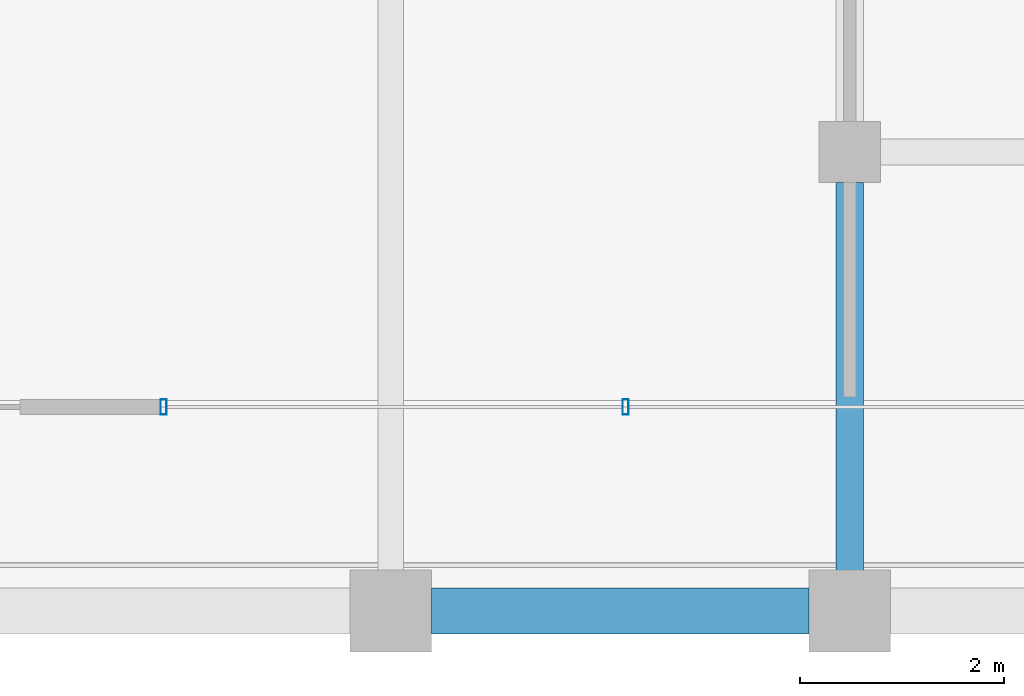
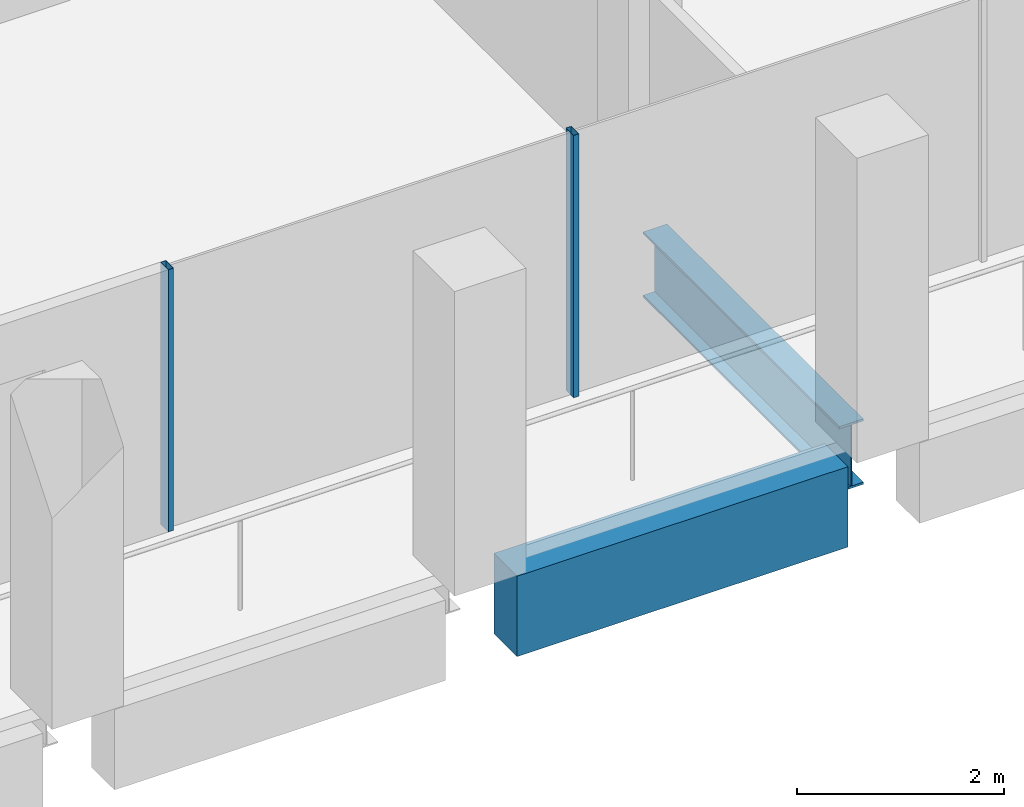
# One storey, part 9 of 30: 2 beams, 2 members, 1 element without a shape of its own.
"""IFC4 building model written with IfcOpenShell, lengths in metres."""

from ifc_helpers import new_model, si_unit, direction, frame, origin, origin_2d, place, context, subcontext, project, spatial, rectangle, hollow_rectangle, i_section, extrude, material, material_profile, profile_set, type_object, element, aggregate, save


model = new_model("IFC4")

# Units and contexts
model_context = context("Model", 3, precision=1e-05, world=origin(), true_north=direction((0.0, 1.0)))
body_context = subcontext(model_context, "Body", "Model", "MODEL_VIEW")
ifc_project = project(units=[si_unit("LENGTHUNIT", "METRE"), si_unit("AREAUNIT", "SQUARE_METRE"), si_unit("VOLUMEUNIT", "CUBIC_METRE"), si_unit("PLANEANGLEUNIT", "RADIAN"), si_unit("MASSUNIT", "GRAM", prefix="KILO")], contexts=[model_context])

# Site, building, storey
site_placement = place(None, origin())
site = spatial("IfcSite", under=ifc_project, at=site_placement, CompositionType="ELEMENT")
building_placement = place(site_placement, origin())
building = spatial("IfcBuilding", under=site, at=building_placement, Name="Altepetl Exchange Towers", CompositionType="ELEMENT")
storey_placement = place(building_placement, frame((0.0, 0.0, 231.60009765625)))
storey = spatial("IfcBuildingStorey", under=building, at=storey_placement, Name="L59", CompositionType="ELEMENT", Elevation=231.60009765625)

# Beam
ifc_material_1 = material(Name="Steel S355", Category="steel")
ifc_material_profile_1 = material_profile(ifc_material_1, i_section(OverallWidth=0.26806640625, OverallDepth=0.77392578125, WebThickness=0.015380859375, FlangeThickness=0.025390625, at=origin_2d()), Name="W30X132")
ifc_profile_set_1 = profile_set([ifc_material_profile_1], Name="Steel S355")
beam_type_1 = type_object("IfcBeamType", Name="Girder W30X132", PredefinedType="BEAM", material=ifc_profile_set_1)
beam_1_placement = place(storey_placement, frame((58.5, 31.199951171875, -0.537109375), z_axis=(0.0, -1.0, 0.0), x_axis=(1.0, 0.0, 0.0)))
element("IfcBeam", 1, at=beam_1_placement, inside=storey, type_object=beam_type_1, Name="gd:A:L59:005", PredefinedType="BEAM", context=body_context, shape_type="SweptSolid", body=[
    extrude(i_section(OverallWidth=0.26806640625, OverallDepth=0.77392578125, WebThickness=0.015380859375, FlangeThickness=0.025390625, at=origin_2d()), origin(), (0.0, 0.0, 1.0), 3.800048828125),
])

# Curtain wall, members
ifc_material_2 = material(Name="Aluminium 6063-T6 glazing", Category="aluminium")
curtain_wall_type = type_object("IfcCurtainWallType", Name="Loggia glazing system", PredefinedType="NOTDEFINED", material=ifc_material_2)
curtain_wall_placement = place(storey_placement, origin())
curtain_wall = element("IfcCurtainWall", 2, at=curtain_wall_placement, inside=storey, type_object=curtain_wall_type, Name="CW1 run", PredefinedType="NOTDEFINED")
ifc_material_3 = material(Name="Aluminium 6063-T6", Category="aluminium")
ifc_material_profile_2 = material_profile(ifc_material_3, hollow_rectangle(XDim=0.06005859375, YDim=0.14990234375, WallThickness=0.0029296875, at=origin_2d()), Name="Mullion 60x150 aluminium")
ifc_profile_set_2 = profile_set([ifc_material_profile_2], Name="Aluminium 6063-T6")
member_type = type_object("IfcMemberType", Name="Mullion 60x150 aluminium", PredefinedType="MULLION", material=ifc_profile_set_2)
member_1_placement = place(storey_placement, frame((51.77294921875, 29.0, 0.0)))
member_1 = element("IfcMember", 3, at=member_1_placement, type_object=member_type, Name="MU1 mullion", PredefinedType="MULLION", context=body_context, shape_type="SweptSolid", body=[
    extrude(hollow_rectangle(XDim=0.06005859375, YDim=0.14990234375, WallThickness=0.0029296875, at=origin_2d()), origin(), (0.0, 0.0, 1.0), 3.099853515625),
])
member_2_placement = place(storey_placement, frame((56.303466796875, 29.0, 0.0)))
member_2 = element("IfcMember", 4, at=member_2_placement, type_object=member_type, Name="MU1 mullion", PredefinedType="MULLION", context=body_context, shape_type="SweptSolid", body=[
    extrude(hollow_rectangle(XDim=0.06005859375, YDim=0.14990234375, WallThickness=0.0029296875, at=origin_2d()), origin(), (0.0, 0.0, 1.0), 3.099853515625),
])
aggregate(curtain_wall, [member_1, member_2])

# Beam
ifc_material_4 = material(Name="Concrete C50/60 precast with cantera blanca facing", Category="concrete")
ifc_material_profile_3 = material_profile(ifc_material_4, rectangle(XDim=0.449951171875, YDim=0.949951171875, at=origin_2d()), Name="450 x 950")
ifc_profile_set_3 = profile_set([ifc_material_profile_3], Name="Concrete C50/60 precast with cantera blanca facing")
beam_type_2 = type_object("IfcBeamType", Name="Spandrel beam 450x950 cantera blanca", PredefinedType="SPANDREL", material=ifc_profile_set_3)
beam_2_placement = place(storey_placement, frame((54.39990234375, 27.0, -0.625), z_axis=(1.0, 0.0, 0.0), x_axis=(0.0, 1.0, 0.0)))
element("IfcBeam", 5, at=beam_2_placement, inside=storey, type_object=beam_type_2, Name="sp:A:L59:005", PredefinedType="SPANDREL", context=body_context, shape_type="SweptSolid", body=[
    extrude(rectangle(XDim=0.449951171875, YDim=0.949951171875, at=origin_2d()), origin(), (0.0, 0.0, 1.0), 3.7001953125),
])

save(model, "model.ifc")
